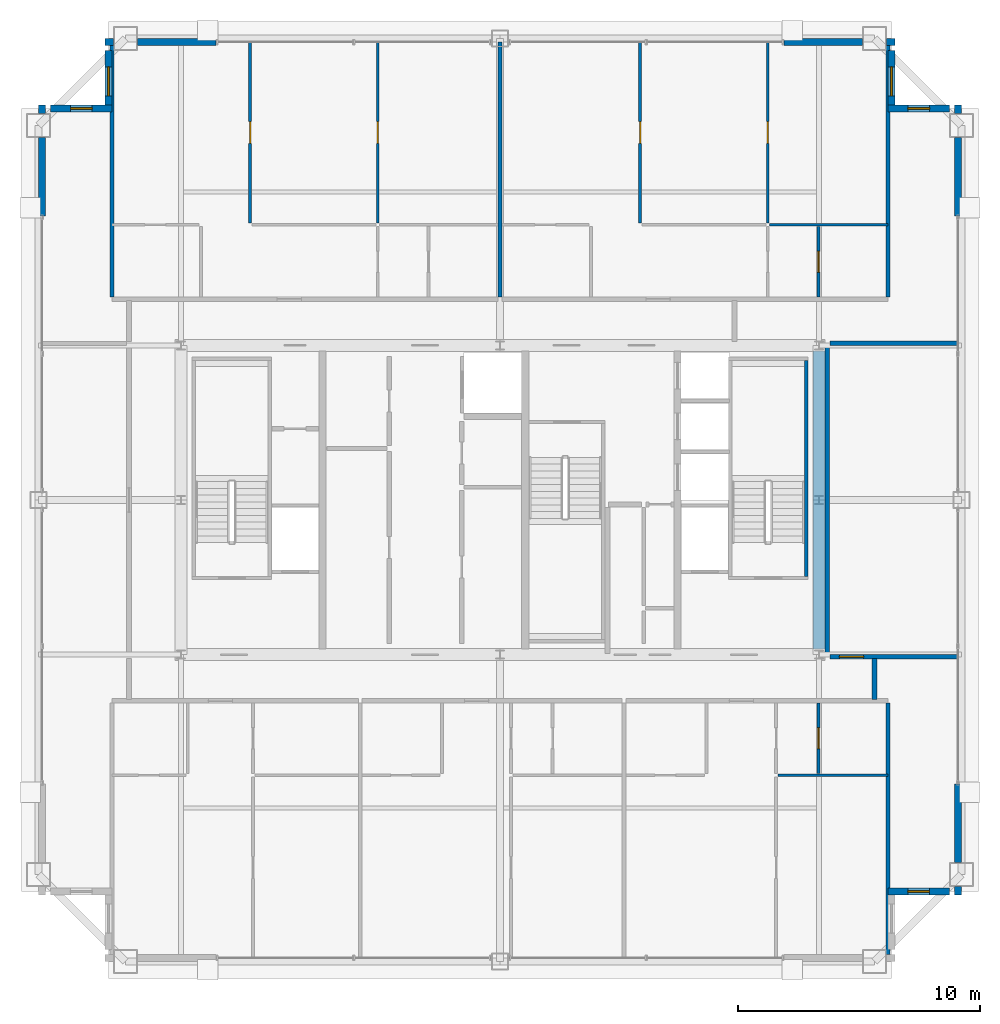
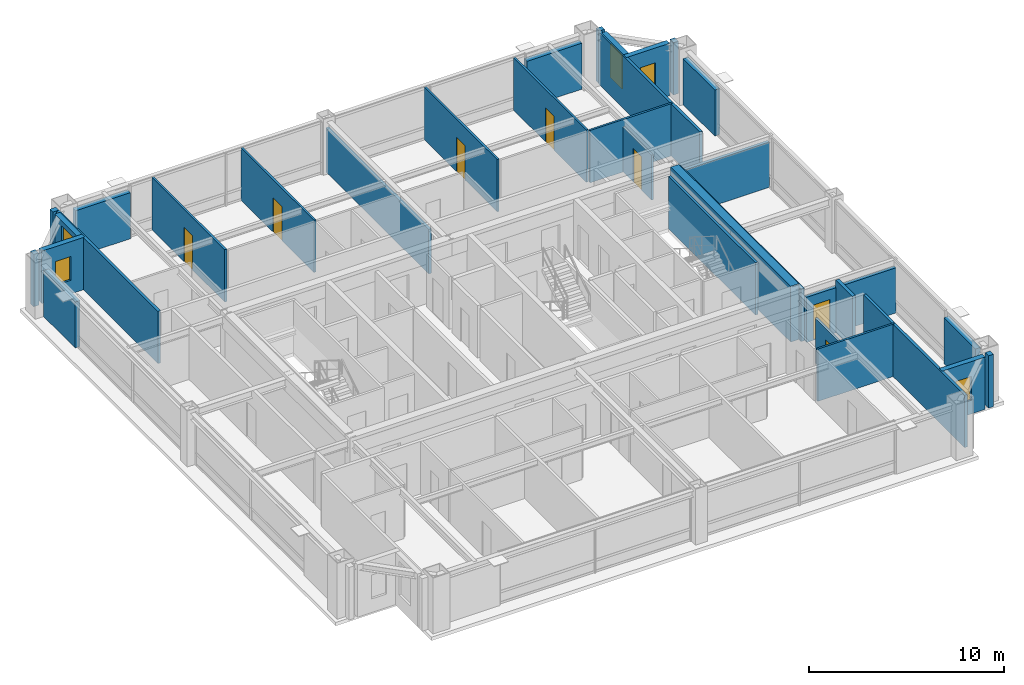
# One storey, part 33 of 35: 33 walls, 7 doors, 5 windows, 12 openings.
"""IFC4 building model written with IfcOpenShell, lengths in metres."""

from ifc_helpers import new_model, si_unit, direction, frame, frame_2d, origin, place, context, subcontext, project, spatial, rectangle, extrude, source, transform, mapped, material, layer, layer_set, type_object, element, fill, save


model = new_model("IFC4")

# Units and contexts
model_context = context("Model", 3, precision=1e-05, world=origin(), true_north=direction((0.0, 1.0)))
body_context = subcontext(model_context, "Body", "Model", "MODEL_VIEW")
ifc_project = project(units=[si_unit("LENGTHUNIT", "METRE"), si_unit("AREAUNIT", "SQUARE_METRE"), si_unit("VOLUMEUNIT", "CUBIC_METRE"), si_unit("PLANEANGLEUNIT", "RADIAN"), si_unit("MASSUNIT", "GRAM", prefix="KILO"), si_unit("THERMODYNAMICTEMPERATUREUNIT", "KELVIN"), si_unit("POWERUNIT", "WATT")], contexts=[model_context])

# Site, building, storey
site_placement = place(None, origin())
site = spatial("IfcSite", under=ifc_project, at=site_placement, CompositionType="ELEMENT")
building_placement = place(site_placement, origin())
building = spatial("IfcBuilding", under=site, at=building_placement, Name="Yuzanri Waterfront Tower", CompositionType="ELEMENT")
storey_placement = place(building_placement, frame((0.0, 0.0, 311.199951171875)))
storey = spatial("IfcBuildingStorey", under=building, at=storey_placement, Name="L83", CompositionType="ELEMENT", Elevation=311.199951171875)

# Wall, opening, door
ifc_material_1 = material(Name="Moisture-Resistant Gypsum Stud Wall", Category="gypsum")
ifc_layer_1 = layer(ifc_material_1, 0.1201171875)
ifc_layer_set_1 = layer_set([ifc_layer_1], Name="Moisture-Resistant Gypsum Stud Wall")
wall_type_1 = type_object("IfcWallType", Name="Bathroom and Kitchen Wet Partition 120", PredefinedType="PARTITIONING", material=ifc_layer_set_1)
wall_1_placement = place(storey_placement, frame((50.179931640625, 14.489990234375, 0.0), z_axis=(0.0, 0.0, 1.0), x_axis=(0.0, 1.0, 0.0)))
wall_1 = element("IfcWall", 1, at=wall_1_placement, inside=storey, type_object=wall_type_1, Name="L83 Partition UW-L83-HS3-SUB-2-W", PredefinedType="PARTITIONING", context=body_context, shape_type="SweptSolid", body=[
    extrude(rectangle(XDim=2.89990234375, YDim=0.1201171875, at=frame_2d((1.449951171875, 0.0))), origin(), (0.0, 0.0, 1.0), 2.824951171875),
])
opening_1_placement = place(wall_1_placement, frame((1.02490234375, 0.0, 0.0)))
opening_1 = element("IfcOpeningElement", 2, at=opening_1_placement, cuts=wall_1, Name="Opening ID-0850", PredefinedType="OPENING", context=body_context, shape_type="SweptSolid", body=[
    extrude(rectangle(XDim=0.85009765625, YDim=2.10009765625, at=frame_2d((0.425048828125, 1.050048828125))), frame((0.0, 0.074951171875, 0.0), z_axis=(0.0, -1.0, 0.0), x_axis=(1.0, 0.0, 0.0)), (0.0, 0.0, 1.0), 0.14990234375),
])
ifc_material_2 = material(Name="Moisture-Resistant Lacquered Timber", Category="wood")
door_type_1 = type_object("IfcDoorType", Name="En-Suite Bathroom and Kitchen Swing Door 850x2100", OperationType="NOTDEFINED", PredefinedType="DOOR", material=ifc_material_2)
shared_shape_1 = source(origin(), body_context, "Body", "SweptSolid", [
    extrude(rectangle(XDim=0.85009765625, YDim=2.10009765625, at=frame_2d((0.425048828125, 1.050048828125))), frame((0.0, 0.02490234375, 0.0), z_axis=(0.0, -1.0, 0.0), x_axis=(1.0, 0.0, 0.0)), (0.0, 0.0, 1.0), 0.050048828125),
])
door_1_placement = place(opening_1_placement, origin())
door_1 = element("IfcDoor", 3, at=door_1_placement, inside=storey, type_object=door_type_1, Name="L83 Suite Interior Room Door", OperationType="SINGLE_SWING_LEFT", OverallHeight=2.10009765625, OverallWidth=0.85009765625, PredefinedType="DOOR", context=body_context, shape_type="MappedRepresentation", body=[
    mapped(shared_shape_1, transform((0.0, 0.0, 0.0), scale=1.0)),
])
fill(opening_1, door_1)

wall_2_placement = place(storey_placement, frame((31.94189453125, 37.27001953125, 0.0), z_axis=(0.0, 0.0, 1.0), x_axis=(0.0, 1.0, 0.0)))
wall_2 = element("IfcWall", 4, at=wall_2_placement, inside=storey, type_object=wall_type_1, Name="L83 Partition UW-L83-HN1-SUB-3-W", PredefinedType="PARTITIONING", context=body_context, shape_type="SweptSolid", body=[
    extrude(rectangle(XDim=7.47998046875, YDim=0.1201171875, at=frame_2d((3.739990234375, 0.0))), origin(), (0.0, 0.0, 1.0), 3.280029296875),
])
opening_2_placement = place(wall_2_placement, frame((3.2900390625, 0.0, 0.0)))
opening_2 = element("IfcOpeningElement", 5, at=opening_2_placement, cuts=wall_2, Name="Opening ID-0900", PredefinedType="OPENING", context=body_context, shape_type="SweptSolid", body=[
    extrude(rectangle(XDim=0.89990234375, YDim=2.14990234375, at=frame_2d((0.449951171875, 1.074951171875))), frame((0.0, 0.074951171875, 0.0), z_axis=(0.0, -1.0, 0.0), x_axis=(1.0, 0.0, 0.0)), (0.0, 0.0, 1.0), 0.14990234375),
])
ifc_material_3 = material(Name="Stained Walnut Veneer Timber", Category="wood")
door_type_2 = type_object("IfcDoorType", Name="Bedroom and Study Interior Swing Door 900x2150", OperationType="NOTDEFINED", PredefinedType="DOOR", material=ifc_material_3)
shared_shape_2 = source(origin(), body_context, "Body", "SweptSolid", [
    extrude(rectangle(XDim=0.89990234375, YDim=2.14990234375, at=frame_2d((0.449951171875, 1.074951171875))), frame((0.0, 0.02490234375, 0.0), z_axis=(0.0, -1.0, 0.0), x_axis=(1.0, 0.0, 0.0)), (0.0, 0.0, 1.0), 0.050048828125),
])
door_2_placement = place(opening_2_placement, origin())
door_2 = element("IfcDoor", 6, at=door_2_placement, inside=storey, type_object=door_type_2, Name="L83 Suite Interior Room Door", OperationType="SINGLE_SWING_LEFT", OverallHeight=2.14990234375, OverallWidth=0.89990234375, PredefinedType="DOOR", context=body_context, shape_type="MappedRepresentation", body=[
    mapped(shared_shape_2, transform((0.0, 0.0, 0.0), scale=1.0)),
])
fill(opening_2, door_2)

wall_3_placement = place(storey_placement, frame((26.659912109375, 37.27001953125, 0.0), z_axis=(0.0, 0.0, 1.0), x_axis=(0.0, 1.0, 0.0)))
wall_3 = element("IfcWall", 7, at=wall_3_placement, inside=storey, type_object=wall_type_1, Name="L83 Partition UW-L83-HN1-SUB-5-W", PredefinedType="PARTITIONING", context=body_context, shape_type="SweptSolid", body=[
    extrude(rectangle(XDim=7.47998046875, YDim=0.1201171875, at=frame_2d((3.739990234375, 0.0))), origin(), (0.0, 0.0, 1.0), 3.280029296875),
])
opening_3_placement = place(wall_3_placement, frame((3.2900390625, 0.0, 0.0)))
opening_3 = element("IfcOpeningElement", 8, at=opening_3_placement, cuts=wall_3, Name="Opening ID-0900", PredefinedType="OPENING", context=body_context, shape_type="SweptSolid", body=[
    extrude(rectangle(XDim=0.89990234375, YDim=2.14990234375, at=frame_2d((0.449951171875, 1.074951171875))), frame((0.0, 0.074951171875, 0.0), z_axis=(0.0, -1.0, 0.0), x_axis=(1.0, 0.0, 0.0)), (0.0, 0.0, 1.0), 0.14990234375),
])
door_3_placement = place(opening_3_placement, origin())
door_3 = element("IfcDoor", 9, at=door_3_placement, inside=storey, type_object=door_type_2, Name="L83 Suite Interior Room Door", OperationType="SINGLE_SWING_LEFT", OverallHeight=2.14990234375, OverallWidth=0.89990234375, PredefinedType="DOOR", context=body_context, shape_type="MappedRepresentation", body=[
    mapped(shared_shape_2, transform((0.0, 0.0, 0.0), scale=1.0)),
])
fill(opening_3, door_3)

wall_4_placement = place(storey_placement, frame((50.179931640625, 34.2099609375, 0.0), z_axis=(0.0, 0.0, 1.0), x_axis=(0.0, 1.0, 0.0)))
wall_4 = element("IfcWall", 10, at=wall_4_placement, inside=storey, type_object=wall_type_1, Name="L83 Partition UW-L83-HN2-SUB-2-W", PredefinedType="PARTITIONING", context=body_context, shape_type="SweptSolid", body=[
    extrude(rectangle(XDim=2.900146484375, YDim=0.1201171875, at=frame_2d((1.4501953125, 0.0))), origin(), (0.0, 0.0, 1.0), 2.824951171875),
])
opening_4_placement = place(wall_4_placement, frame((1.02490234375, 0.0, 0.0)))
opening_4 = element("IfcOpeningElement", 11, at=opening_4_placement, cuts=wall_4, Name="Opening ID-0850", PredefinedType="OPENING", context=body_context, shape_type="SweptSolid", body=[
    extrude(rectangle(XDim=0.85009765625, YDim=2.10009765625, at=frame_2d((0.425048828125, 1.050048828125))), frame((0.0, 0.074951171875, 0.0), z_axis=(0.0, -1.0, 0.0), x_axis=(1.0, 0.0, 0.0)), (0.0, 0.0, 1.0), 0.14990234375),
])
door_4_placement = place(opening_4_placement, origin())
door_4 = element("IfcDoor", 12, at=door_4_placement, inside=storey, type_object=door_type_1, Name="L83 Suite Interior Room Door", OperationType="SINGLE_SWING_RIGHT", OverallHeight=2.10009765625, OverallWidth=0.85009765625, PredefinedType="DOOR", context=body_context, shape_type="MappedRepresentation", body=[
    mapped(shared_shape_1, transform((0.0, 0.0, 0.0), scale=1.0)),
])
fill(opening_4, door_4)

wall_5_placement = place(storey_placement, frame((48.08203125, 37.27001953125, 0.0), z_axis=(0.0, 0.0, 1.0), x_axis=(0.0, 1.0, 0.0)))
wall_5 = element("IfcWall", 13, at=wall_5_placement, inside=storey, type_object=wall_type_1, Name="L83 Partition UW-L83-HN2-SUB-3-W", PredefinedType="PARTITIONING", context=body_context, shape_type="SweptSolid", body=[
    extrude(rectangle(XDim=7.47998046875, YDim=0.1201171875, at=frame_2d((3.739990234375, 0.0))), origin(), (0.0, 0.0, 1.0), 3.280029296875),
])
opening_5_placement = place(wall_5_placement, frame((3.2900390625, 0.0, 0.0)))
opening_5 = element("IfcOpeningElement", 14, at=opening_5_placement, cuts=wall_5, Name="Opening ID-0900", PredefinedType="OPENING", context=body_context, shape_type="SweptSolid", body=[
    extrude(rectangle(XDim=0.89990234375, YDim=2.14990234375, at=frame_2d((0.449951171875, 1.074951171875))), frame((0.0, 0.074951171875, 0.0), z_axis=(0.0, -1.0, 0.0), x_axis=(1.0, 0.0, 0.0)), (0.0, 0.0, 1.0), 0.14990234375),
])
door_5_placement = place(opening_5_placement, origin())
door_5 = element("IfcDoor", 15, at=door_5_placement, inside=storey, type_object=door_type_2, Name="L83 Suite Interior Room Door", OperationType="SINGLE_SWING_LEFT", OverallHeight=2.14990234375, OverallWidth=0.89990234375, PredefinedType="DOOR", context=body_context, shape_type="MappedRepresentation", body=[
    mapped(shared_shape_2, transform((0.0, 0.0, 0.0), scale=1.0)),
])
fill(opening_5, door_5)

wall_6_placement = place(storey_placement, frame((42.800048828125, 37.27001953125, 0.0), z_axis=(0.0, 0.0, 1.0), x_axis=(0.0, 1.0, 0.0)))
wall_6 = element("IfcWall", 16, at=wall_6_placement, inside=storey, type_object=wall_type_1, Name="L83 Partition UW-L83-HN2-SUB-5-W", PredefinedType="PARTITIONING", context=body_context, shape_type="SweptSolid", body=[
    extrude(rectangle(XDim=7.47998046875, YDim=0.1201171875, at=frame_2d((3.739990234375, 0.0))), origin(), (0.0, 0.0, 1.0), 3.280029296875),
])
opening_6_placement = place(wall_6_placement, frame((3.2900390625, 0.0, 0.0)))
opening_6 = element("IfcOpeningElement", 17, at=opening_6_placement, cuts=wall_6, Name="Opening ID-0900", PredefinedType="OPENING", context=body_context, shape_type="SweptSolid", body=[
    extrude(rectangle(XDim=0.89990234375, YDim=2.14990234375, at=frame_2d((0.449951171875, 1.074951171875))), frame((0.0, 0.074951171875, 0.0), z_axis=(0.0, -1.0, 0.0), x_axis=(1.0, 0.0, 0.0)), (0.0, 0.0, 1.0), 0.14990234375),
])
door_6_placement = place(opening_6_placement, origin())
door_6 = element("IfcDoor", 18, at=door_6_placement, inside=storey, type_object=door_type_2, Name="L83 Suite Interior Room Door", OperationType="SINGLE_SWING_LEFT", OverallHeight=2.14990234375, OverallWidth=0.89990234375, PredefinedType="DOOR", context=body_context, shape_type="MappedRepresentation", body=[
    mapped(shared_shape_2, transform((0.0, 0.0, 0.0), scale=1.0)),
])
fill(opening_6, door_6)

# Wall, opening, window
ifc_material_4 = material(Name="Honed Chongqing Dark Basalt Stone", Category="masonry")
ifc_layer_2 = layer(ifc_material_4, 0.300048828125)
ifc_layer_set_2 = layer_set([ifc_layer_2], Name="Honed Chongqing Dark Basalt Stone")
wall_type_2 = type_object("IfcWallType", Name="Bronze Rainscreen Insulated Spandrel Portal Wall 300", PredefinedType="SOLIDWALL", material=ifc_layer_set_2)
wall_7_placement = place(storey_placement, frame((53.050048828125, 9.60009765625, 0.0), z_axis=(0.0, 0.0, 1.0), x_axis=(1.0, 0.0, 0.0)))
wall_7 = element("IfcWall", 19, at=wall_7_placement, inside=storey, type_object=wall_type_2, Name="L83 Notched Corner Masonry Wall SE-X", PredefinedType="SOLIDWALL", context=body_context, shape_type="SweptSolid", body=[
    extrude(rectangle(XDim=2.550048828125, YDim=0.300048828125, at=frame_2d((1.27490234375, 0.0))), origin(), (0.0, 0.0, 1.0), 3.280029296875),
])
opening_7_placement = place(wall_7_placement, frame((0.824951171875, 0.0, 0.85009765625)))
opening_7 = element("IfcOpeningElement", 20, at=opening_7_placement, cuts=wall_7, Name="Opening WN-05", PredefinedType="OPENING", context=body_context, shape_type="SweptSolid", body=[
    extrude(rectangle(XDim=0.89990234375, YDim=1.5, at=frame_2d((0.449951171875, 0.75))), frame((0.0, 0.1650390625, 0.0), z_axis=(0.0, -1.0, 0.0), x_axis=(1.0, 0.0, 0.0)), (0.0, 0.0, 1.0), 0.329833984375),
])
ifc_material_5 = material(Name="Double-Silver Low-E Insulated Glass", Category="glass")
window_type_1 = type_object("IfcWindowType", Name="Anodized Bronze Service and Stairwell Smoke-Vent Window 900x1500", PartitioningType="SINGLE_PANEL", PredefinedType="WINDOW", material=ifc_material_5)
shared_shape_3 = source(origin(), body_context, "Body", "SweptSolid", [
    extrude(rectangle(XDim=0.89990234375, YDim=1.5, at=frame_2d((0.449951171875, 0.75))), frame((0.0, 0.030029296875, 0.0), z_axis=(0.0, -1.0, 0.0), x_axis=(1.0, 0.0, 0.0)), (0.0, 0.0, 1.0), 0.06005859375),
])
window_1_placement = place(opening_7_placement, origin())
window_1 = element("IfcWindow", 21, at=window_1_placement, inside=storey, type_object=window_type_1, Name="L83 Notched Corner Window SE-X", OverallHeight=1.5, OverallWidth=0.89990234375, PartitioningType="SINGLE_PANEL", PredefinedType="WINDOW", context=body_context, shape_type="MappedRepresentation", body=[
    mapped(shared_shape_3, transform((0.0, 0.0, 0.0), scale=1.0)),
])
fill(opening_7, window_1)

wall_8_placement = place(storey_placement, frame((20.949951171875, 42.0, 0.0), z_axis=(0.0, 0.0, 1.0), x_axis=(-1.0, 0.0, 0.0)))
wall_8 = element("IfcWall", 22, at=wall_8_placement, inside=storey, type_object=wall_type_2, Name="L83 Notched Corner Masonry Wall NW-X", PredefinedType="SOLIDWALL", context=body_context, shape_type="SweptSolid", body=[
    extrude(rectangle(XDim=2.550048828125, YDim=0.300048828125, at=frame_2d((1.27490234375, 0.0))), origin(), (0.0, 0.0, 1.0), 3.280029296875),
])
opening_8_placement = place(wall_8_placement, frame((0.824951171875, 0.0, 0.85009765625)))
opening_8 = element("IfcOpeningElement", 23, at=opening_8_placement, cuts=wall_8, Name="Opening WN-05", PredefinedType="OPENING", context=body_context, shape_type="SweptSolid", body=[
    extrude(rectangle(XDim=0.89990234375, YDim=1.5, at=frame_2d((0.449951171875, 0.75))), frame((0.0, 0.1650390625, 0.0), z_axis=(0.0, -1.0, 0.0), x_axis=(1.0, 0.0, 0.0)), (0.0, 0.0, 1.0), 0.329833984375),
])
window_2_placement = place(opening_8_placement, origin())
window_2 = element("IfcWindow", 24, at=window_2_placement, inside=storey, type_object=window_type_1, Name="L83 Notched Corner Window NW-X", OverallHeight=1.5, OverallWidth=0.89990234375, PartitioningType="SINGLE_PANEL", PredefinedType="WINDOW", context=body_context, shape_type="MappedRepresentation", body=[
    mapped(shared_shape_3, transform((0.0, 0.0, 0.0), scale=1.0)),
])
fill(opening_8, window_2)

wall_9_placement = place(storey_placement, frame((20.800048828125, 44.39990234375, 0.0), z_axis=(0.0, 0.0, 1.0), x_axis=(0.0, -1.0, 0.0)))
wall_9 = element("IfcWall", 25, at=wall_9_placement, inside=storey, type_object=wall_type_2, Name="L83 Notched Corner Masonry Wall NW-Y", PredefinedType="SOLIDWALL", context=body_context, shape_type="SweptSolid", body=[
    extrude(rectangle(XDim=2.5498046875, YDim=0.300048828125, at=frame_2d((1.27490234375, 0.0))), origin(), (0.0, 0.0, 1.0), 3.280029296875),
])
opening_9_placement = place(wall_9_placement, frame((0.675048828125, 0.0, 0.85009765625)))
opening_9 = element("IfcOpeningElement", 26, at=opening_9_placement, cuts=wall_9, Name="Opening WN-02", PredefinedType="OPENING", context=body_context, shape_type="SweptSolid", body=[
    extrude(rectangle(XDim=1.199951171875, YDim=2.10009765625, at=frame_2d((0.60009765625, 1.050048828125))), frame((0.0, 0.1650390625, 0.0), z_axis=(0.0, -1.0, 0.0), x_axis=(1.0, 0.0, 0.0)), (0.0, 0.0, 1.0), 0.329833984375),
])
ifc_material_6 = material(Name="Double-Silver Low-E Insulated Glass", Category="glass")
window_type_2 = type_object("IfcWindowType", Name="Anodized Bronze Notched Corner Deep-Set Slot Window 1200x2100", PartitioningType="SINGLE_PANEL", PredefinedType="WINDOW", material=ifc_material_6)
shared_shape_4 = source(origin(), body_context, "Body", "SweptSolid", [
    extrude(rectangle(XDim=1.199951171875, YDim=2.10009765625, at=frame_2d((0.60009765625, 1.050048828125))), frame((0.0, 0.030029296875, 0.0), z_axis=(0.0, -1.0, 0.0), x_axis=(1.0, 0.0, 0.0)), (0.0, 0.0, 1.0), 0.06005859375),
])
window_3_placement = place(opening_9_placement, origin())
window_3 = element("IfcWindow", 27, at=window_3_placement, inside=storey, type_object=window_type_2, Name="L83 Notched Corner Window NW-Y", OverallHeight=2.10009765625, OverallWidth=1.199951171875, PartitioningType="SINGLE_PANEL", PredefinedType="WINDOW", context=body_context, shape_type="MappedRepresentation", body=[
    mapped(shared_shape_4, transform((0.0, 0.0, 0.0), scale=1.0)),
])
fill(opening_9, window_3)

wall_10_placement = place(storey_placement, frame((55.60009765625, 42.0, 0.0), z_axis=(0.0, 0.0, 1.0), x_axis=(-1.0, 0.0, 0.0)))
wall_10 = element("IfcWall", 28, at=wall_10_placement, inside=storey, type_object=wall_type_2, Name="L83 Notched Corner Masonry Wall NE-X", PredefinedType="SOLIDWALL", context=body_context, shape_type="SweptSolid", body=[
    extrude(rectangle(XDim=2.550048828125, YDim=0.300048828125, at=frame_2d((1.27490234375, 0.0))), origin(), (0.0, 0.0, 1.0), 3.280029296875),
])
opening_10_placement = place(wall_10_placement, frame((0.824951171875, 0.0, 0.85009765625)))
opening_10 = element("IfcOpeningElement", 29, at=opening_10_placement, cuts=wall_10, Name="Opening WN-05", PredefinedType="OPENING", context=body_context, shape_type="SweptSolid", body=[
    extrude(rectangle(XDim=0.89990234375, YDim=1.5, at=frame_2d((0.449951171875, 0.75))), frame((0.0, 0.1650390625, 0.0), z_axis=(0.0, -1.0, 0.0), x_axis=(1.0, 0.0, 0.0)), (0.0, 0.0, 1.0), 0.329833984375),
])
window_4_placement = place(opening_10_placement, origin())
window_4 = element("IfcWindow", 30, at=window_4_placement, inside=storey, type_object=window_type_1, Name="L83 Notched Corner Window NE-X", OverallHeight=1.5, OverallWidth=0.89990234375, PartitioningType="SINGLE_PANEL", PredefinedType="WINDOW", context=body_context, shape_type="MappedRepresentation", body=[
    mapped(shared_shape_3, transform((0.0, 0.0, 0.0), scale=1.0)),
])
fill(opening_10, window_4)

wall_11_placement = place(storey_placement, frame((53.199951171875, 41.85009765625, 0.0), z_axis=(0.0, 0.0, 1.0), x_axis=(0.0, 1.0, 0.0)))
wall_11 = element("IfcWall", 31, at=wall_11_placement, inside=storey, type_object=wall_type_2, Name="L83 Notched Corner Masonry Wall NE-Y", PredefinedType="SOLIDWALL", context=body_context, shape_type="SweptSolid", body=[
    extrude(rectangle(XDim=2.5498046875, YDim=0.300048828125, at=frame_2d((1.27490234375, 0.0))), origin(), (0.0, 0.0, 1.0), 3.280029296875),
])
opening_11_placement = place(wall_11_placement, frame((0.675048828125, 0.0, 0.85009765625)))
opening_11 = element("IfcOpeningElement", 32, at=opening_11_placement, cuts=wall_11, Name="Opening WN-02", PredefinedType="OPENING", context=body_context, shape_type="SweptSolid", body=[
    extrude(rectangle(XDim=1.199951171875, YDim=2.10009765625, at=frame_2d((0.60009765625, 1.050048828125))), frame((0.0, 0.1650390625, 0.0), z_axis=(0.0, -1.0, 0.0), x_axis=(1.0, 0.0, 0.0)), (0.0, 0.0, 1.0), 0.329833984375),
])
window_5_placement = place(opening_11_placement, origin())
window_5 = element("IfcWindow", 33, at=window_5_placement, inside=storey, type_object=window_type_2, Name="L83 Notched Corner Window NE-Y", OverallHeight=2.10009765625, OverallWidth=1.199951171875, PartitioningType="SINGLE_PANEL", PredefinedType="WINDOW", context=body_context, shape_type="MappedRepresentation", body=[
    mapped(shared_shape_4, transform((0.0, 0.0, 0.0), scale=1.0)),
])
fill(opening_11, window_5)

# Wall, opening, door
ifc_material_7 = material(Name="Autoclaved Aerated Concrete Blockwork", Category="masonry")
ifc_layer_3 = layer(ifc_material_7, 0.199951171875)
ifc_layer_set_3 = layer_set([ifc_layer_3], Name="Autoclaved Aerated Concrete Blockwork")
wall_type_3 = type_object("IfcWallType", Name="Corridor and Unit Party Fire Wall 200", PredefinedType="PARTITIONING", material=ifc_layer_set_3)
wall_12_placement = place(storey_placement, frame((50.64990234375, 19.31005859375, 0.0), z_axis=(0.0, 0.0, 1.0), x_axis=(1.0, 0.0, 0.0)))
wall_12 = element("IfcWall", 34, at=wall_12_placement, inside=storey, type_object=wall_type_3, Name="L83 Partition UW-L83-048-CS", PredefinedType="PARTITIONING", context=body_context, shape_type="SweptSolid", body=[
    extrude(rectangle(XDim=5.300048828125, YDim=0.199951171875, at=frame_2d((2.64990234375, 0.0))), origin(), (0.0, 0.0, 1.0), 2.824951171875),
])
opening_12_placement = place(wall_12_placement, frame((0.39990234375, 0.0, 0.0)))
opening_12 = element("IfcOpeningElement", 35, at=opening_12_placement, cuts=wall_12, Name="Opening FD-1000", PredefinedType="OPENING", context=body_context, shape_type="SweptSolid", body=[
    extrude(rectangle(XDim=1.0, YDim=2.199951171875, at=frame_2d((0.5, 1.10009765625))), frame((0.0, 0.11474609375, 0.0), z_axis=(0.0, -1.0, 0.0), x_axis=(1.0, 0.0, 0.0)), (0.0, 0.0, 1.0), 0.229736328125),
])
ifc_material_8 = material(Name="Engineered Oak Fire-Rated Timber", Category="wood")
door_type_3 = type_object("IfcDoorType", Name="Guestroom and Apartment Entrance Fire Door 1000x2200", OperationType="NOTDEFINED", PredefinedType="DOOR", material=ifc_material_8)
shared_shape_5 = source(origin(), body_context, "Body", "SweptSolid", [
    extrude(rectangle(XDim=1.0, YDim=2.199951171875, at=frame_2d((0.5, 1.10009765625))), frame((0.0, 0.02490234375, 0.0), z_axis=(0.0, -1.0, 0.0), x_axis=(1.0, 0.0, 0.0)), (0.0, 0.0, 1.0), 0.050048828125),
])
door_7_placement = place(opening_12_placement, origin())
door_7 = element("IfcDoor", 36, at=door_7_placement, inside=storey, type_object=door_type_3, Name="L83 High-Rise E Horizon Club Room Entrance Door", OperationType="SINGLE_SWING_LEFT", OverallHeight=2.199951171875, OverallWidth=1.0, PredefinedType="DOOR", context=body_context, shape_type="MappedRepresentation", body=[
    mapped(shared_shape_5, transform((0.0, 0.0, 0.0), scale=1.0)),
])
fill(opening_12, door_7)

# Walls
ifc_material_9 = material(Name="Concrete C45", Category="concrete")
ifc_layer_4 = layer(ifc_material_9, 0.47998046875)
ifc_layer_set_4 = layer_set([ifc_layer_4], Name="Concrete C45")
wall_type_4 = type_object("IfcWallType", Name="Concrete C45 High-Rise Core Shear Wall 480", PredefinedType="SHEAR", material=ifc_layer_set_4)
shared_shape_6 = source(origin(), body_context, "Body", "SweptSolid", [
    extrude(rectangle(XDim=12.320068359375, YDim=0.47998046875, at=frame_2d((6.16015625, 0.0))), origin(), (0.0, 0.0, 1.0), 3.5),
])
wall_13_placement = place(storey_placement, frame((50.199951171875, 19.639892578125, 0.0), z_axis=(0.0, 0.0, 1.0), x_axis=(0.0, 1.0, 0.0)))
element("IfcWall", 37, at=wall_13_placement, inside=storey, type_object=wall_type_4, Name="L83 Core East Shear Wall", PredefinedType="SHEAR", context=body_context, shape_type="MappedRepresentation", body=[
    mapped(shared_shape_6, transform((0.0, 0.0, 0.0), scale=1.0)),
])
shared_shape_7 = source(origin(), body_context, "Body", "SweptSolid", [
    extrude(rectangle(XDim=3.25, YDim=0.300048828125, at=frame_2d((1.625, 0.0))), origin(), (0.0, 0.0, 1.0), 2.885009765625),
])
for number, where, z_axis, x_axis, name in (
    (38, (22.0, 44.75, 0.0), (0.0, 0.0, 1.0), (1.0, 0.0, 0.0), "L83 N Left Braced Masonry Shoulder"),
    (39, (48.75, 44.75, 0.0), (0.0, 0.0, 1.0), (1.0, 0.0, 0.0), "L83 N Right Braced Masonry Shoulder"),
    (40, (18.050048828125, 37.550048828125, 0.0), (0.0, 0.0, 1.0), (0.0, 1.0, 0.0), "L83 W Right Braced Masonry Shoulder"),
    (41, (55.949951171875, 10.800048828125, 0.0), (0.0, 0.0, 1.0), (0.0, 1.0, 0.0), "L83 E Left Braced Masonry Shoulder"),
    (42, (55.949951171875, 37.550048828125, 0.0), (0.0, 0.0, 1.0), (0.0, 1.0, 0.0), "L83 E Right Braced Masonry Shoulder"),
):
    element("IfcWall", number, at=place(storey_placement, frame(where, z_axis=z_axis, x_axis=x_axis)), inside=storey, type_object=wall_type_2, Name=name, PredefinedType="SOLIDWALL", context=body_context, shape_type="MappedRepresentation", body=[
        mapped(shared_shape_7, transform((0.0, 0.0, 0.0), scale=1.0)),
    ])
shared_shape_8 = source(origin(), body_context, "Body", "SweptSolid", [
    extrude(rectangle(XDim=0.35009765625, YDim=0.300048828125, at=frame_2d((0.175048828125, 0.0))), origin(), (0.0, 0.0, 1.0), 3.280029296875),
])
for number, where, z_axis, x_axis, name in (
    (43, (20.64990234375, 44.75, 0.0), (0.0, 0.0, 1.0), (1.0, 0.0, 0.0), "L83 Corner Column Shoulder Return CNW"),
    (44, (53.0, 44.75, 0.0), (0.0, 0.0, 1.0), (1.0, 0.0, 0.0), "L83 Corner Column Shoulder Return CNE"),
    (45, (55.949951171875, 9.449951171875, 0.0), (0.0, 0.0, 1.0), (0.0, 1.0, 0.0), "L83 Corner Column Shoulder Return CES"),
):
    element("IfcWall", number, at=place(storey_placement, frame(where, z_axis=z_axis, x_axis=x_axis)), inside=storey, type_object=wall_type_2, Name=name, PredefinedType="SOLIDWALL", context=body_context, shape_type="MappedRepresentation", body=[
        mapped(shared_shape_8, transform((0.0, 0.0, 0.0), scale=1.0)),
    ])
shared_shape_9 = source(origin(), body_context, "Body", "SweptSolid", [
    extrude(rectangle(XDim=0.349853515625, YDim=0.300048828125, at=frame_2d((0.1748046875, 0.0))), origin(), (0.0, 0.0, 1.0), 3.280029296875),
])
for number, where, z_axis, x_axis, name in (
    (46, (18.050048828125, 41.800048828125, 0.0), (0.0, 0.0, 1.0), (0.0, 1.0, 0.0), "L83 Corner Column Shoulder Return CWN"),
    (47, (55.949951171875, 41.800048828125, 0.0), (0.0, 0.0, 1.0), (0.0, 1.0, 0.0), "L83 Corner Column Shoulder Return CEN"),
):
    element("IfcWall", number, at=place(storey_placement, frame(where, z_axis=z_axis, x_axis=x_axis)), inside=storey, type_object=wall_type_2, Name=name, PredefinedType="SOLIDWALL", context=body_context, shape_type="MappedRepresentation", body=[
        mapped(shared_shape_9, transform((0.0, 0.0, 0.0), scale=1.0)),
    ])
ifc_material_10 = material(Name="Concrete C40", Category="concrete")
ifc_layer_5 = layer(ifc_material_10, 0.139892578125)
ifc_layer_set_5 = layer_set([ifc_layer_5], Name="Concrete C40")
wall_type_5 = type_object("IfcWallType", Name="Core Stair Liner and Hoistway Shaft Wall 140", PredefinedType="SOLIDWALL", material=ifc_layer_set_5)
shared_shape_10 = source(origin(), body_context, "Body", "SweptSolid", [
    extrude(rectangle(XDim=8.940185546875, YDim=0.139892578125, at=frame_2d((4.47021484375, 0.0))), origin(), (0.0, 0.0, 1.0), 3.280029296875),
])
wall_14_placement = place(storey_placement, frame((49.669921875, 22.639892578125, 0.0), z_axis=(0.0, 0.0, 1.0), x_axis=(0.0, 1.0, 0.0)))
element("IfcWall", 48, at=wall_14_placement, inside=storey, type_object=wall_type_5, Name="L83 Stair ST-02 East Shaft Wall", PredefinedType="SOLIDWALL", context=body_context, shape_type="MappedRepresentation", body=[
    mapped(shared_shape_10, transform((0.0, 0.0, 0.0), scale=1.0)),
])
shared_shape_11 = source(origin(), body_context, "Body", "SweptSolid", [
    extrude(rectangle(XDim=12.780029296875, YDim=0.199951171875, at=frame_2d((6.39013671875, 0.0))), origin(), (0.0, 0.0, 1.0), 3.280029296875),
])
wall_15_placement = place(storey_placement, frame((50.544921875, 19.409912109375, 0.0), z_axis=(0.0, 0.0, 1.0), x_axis=(0.0, 1.0, 0.0)))
element("IfcWall", 49, at=wall_15_placement, inside=storey, type_object=wall_type_3, Name="L83-048 Wing Inner Core-Side Wall", PredefinedType="PARTITIONING", context=body_context, shape_type="MappedRepresentation", body=[
    mapped(shared_shape_11, transform((0.0, 0.0, 0.0), scale=1.0)),
])
shared_shape_12 = source(origin(), body_context, "Body", "SweptSolid", [
    extrude(rectangle(XDim=5.300048828125, YDim=0.199951171875, at=frame_2d((2.64990234375, 0.0))), origin(), (0.0, 0.0, 1.0), 2.824951171875),
])
wall_16_placement = place(storey_placement, frame((50.64990234375, 32.2900390625, 0.0), z_axis=(0.0, 0.0, 1.0), x_axis=(1.0, 0.0, 0.0)))
element("IfcWall", 50, at=wall_16_placement, inside=storey, type_object=wall_type_3, Name="L83-048 Wing North Wall", PredefinedType="PARTITIONING", context=body_context, shape_type="MappedRepresentation", body=[
    mapped(shared_shape_12, transform((0.0, 0.0, 0.0), scale=1.0)),
])
shared_shape_13 = source(origin(), body_context, "Body", "SweptSolid", [
    extrude(rectangle(XDim=1.699951171875, YDim=0.199951171875, at=frame_2d((0.85009765625, 0.0))), origin(), (0.0, 0.0, 1.0), 3.280029296875),
])
wall_17_placement = place(storey_placement, frame((52.5, 17.550048828125, 0.0), z_axis=(0.0, 0.0, 1.0), x_axis=(0.0, 1.0, 0.0)))
element("IfcWall", 51, at=wall_17_placement, inside=storey, type_object=wall_type_3, Name="L83 South Foyer East End Wall", PredefinedType="PARTITIONING", context=body_context, shape_type="MappedRepresentation", body=[
    mapped(shared_shape_13, transform((0.0, 0.0, 0.0), scale=1.0)),
])
ifc_material_11 = material(Name="Gypsum Fireboard Acoustic Stud Wall", Category="gypsum")
ifc_layer_6 = layer(ifc_material_11, 0.159912109375)
ifc_layer_set_6 = layer_set([ifc_layer_6], Name="Gypsum Fireboard Acoustic Stud Wall")
wall_type_6 = type_object("IfcWallType", Name="Acoustic Suite Demising Partition 160", PredefinedType="PARTITIONING", material=ifc_layer_set_6)
shared_shape_14 = source(origin(), body_context, "Body", "SweptSolid", [
    extrude(rectangle(XDim=10.389892578125, YDim=0.159912109375, at=frame_2d((5.19482421875, 0.0))), origin(), (0.0, 0.0, 1.0), 3.280029296875),
])
wall_18_placement = place(storey_placement, frame((53.050048828125, 7.0, 0.0), z_axis=(0.0, 0.0, 1.0), x_axis=(0.0, 1.0, 0.0)))
element("IfcWall", 52, at=wall_18_placement, inside=storey, type_object=wall_type_6, Name="L83 South Band East End Wall", PredefinedType="PARTITIONING", context=body_context, shape_type="MappedRepresentation", body=[
    mapped(shared_shape_14, transform((0.0, 0.0, 0.0), scale=1.0)),
])
shared_shape_15 = source(origin(), body_context, "Body", "SweptSolid", [
    extrude(rectangle(XDim=4.552978515625, YDim=0.1201171875, at=frame_2d((2.2763671875, 0.0))), origin(), (0.0, 0.0, 1.0), 3.280029296875),
])
wall_19_placement = place(storey_placement, frame((48.507080078125, 14.409912109375, 0.0), z_axis=(0.0, 0.0, 1.0), x_axis=(1.0, 0.0, 0.0)))
element("IfcWall", 53, at=wall_19_placement, inside=storey, type_object=wall_type_1, Name="L83 Partition UW-L83-HS3-SUB-3-N", PredefinedType="PARTITIONING", context=body_context, shape_type="MappedRepresentation", body=[
    mapped(shared_shape_15, transform((0.0, 0.0, 0.0), scale=1.0)),
])
shared_shape_16 = source(origin(), body_context, "Body", "SweptSolid", [
    extrude(rectangle(XDim=10.5400390625, YDim=0.159912109375, at=frame_2d((5.27001953125, 0.0))), origin(), (0.0, 0.0, 1.0), 2.787109375),
])
wall_20_placement = place(storey_placement, frame((37.0, 34.2099609375, 0.0), z_axis=(0.0, 0.0, 1.0), x_axis=(0.0, 1.0, 0.0)))
element("IfcWall", 54, at=wall_20_placement, inside=storey, type_object=wall_type_6, Name="L83-HN1 Party Wall", PredefinedType="PARTITIONING", context=body_context, shape_type="MappedRepresentation", body=[
    mapped(shared_shape_16, transform((0.0, 0.0, 0.0), scale=1.0)),
])
shared_shape_17 = source(origin(), body_context, "Body", "SweptSolid", [
    extrude(rectangle(XDim=4.89794921875, YDim=0.1201171875, at=frame_2d((2.448974609375, 0.0))), origin(), (0.0, 0.0, 1.0), 3.280029296875),
])
wall_21_placement = place(storey_placement, frame((48.162109375, 37.18994140625, 0.0), z_axis=(0.0, 0.0, 1.0), x_axis=(1.0, 0.0, 0.0)))
element("IfcWall", 55, at=wall_21_placement, inside=storey, type_object=wall_type_1, Name="L83 Partition UW-L83-HN2-SUB-3-S", PredefinedType="PARTITIONING", context=body_context, shape_type="MappedRepresentation", body=[
    mapped(shared_shape_17, transform((0.0, 0.0, 0.0), scale=1.0)),
])
shared_shape_18 = source(origin(), body_context, "Body", "SweptSolid", [
    extrude(rectangle(XDim=10.39013671875, YDim=0.159912109375, at=frame_2d((5.195068359375, 0.0))), origin(), (0.0, 0.0, 1.0), 3.280029296875),
])
for number, where, z_axis, x_axis, name in (
    (56, (20.949951171875, 34.2099609375, 0.0), (0.0, 0.0, 1.0), (0.0, 1.0, 0.0), "L83 North Band West End Wall"),
    (57, (53.050048828125, 34.2099609375, 0.0), (0.0, 0.0, 1.0), (0.0, 1.0, 0.0), "L83 North Band East End Wall"),
):
    element("IfcWall", number, at=place(storey_placement, frame(where, z_axis=z_axis, x_axis=x_axis)), inside=storey, type_object=wall_type_6, Name=name, PredefinedType="PARTITIONING", context=body_context, shape_type="MappedRepresentation", body=[
        mapped(shared_shape_18, transform((0.0, 0.0, 0.0), scale=1.0)),
    ])

save(model, "model.ifc")
